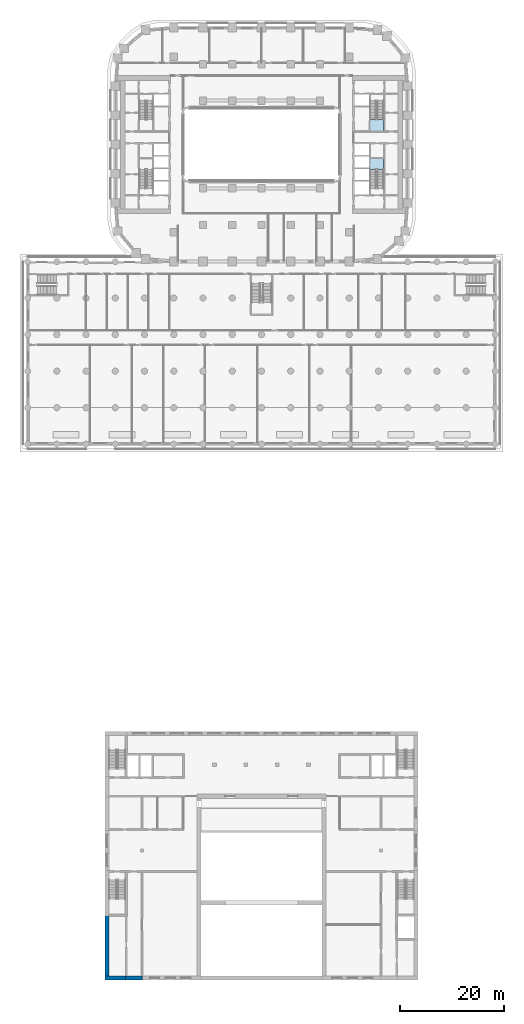
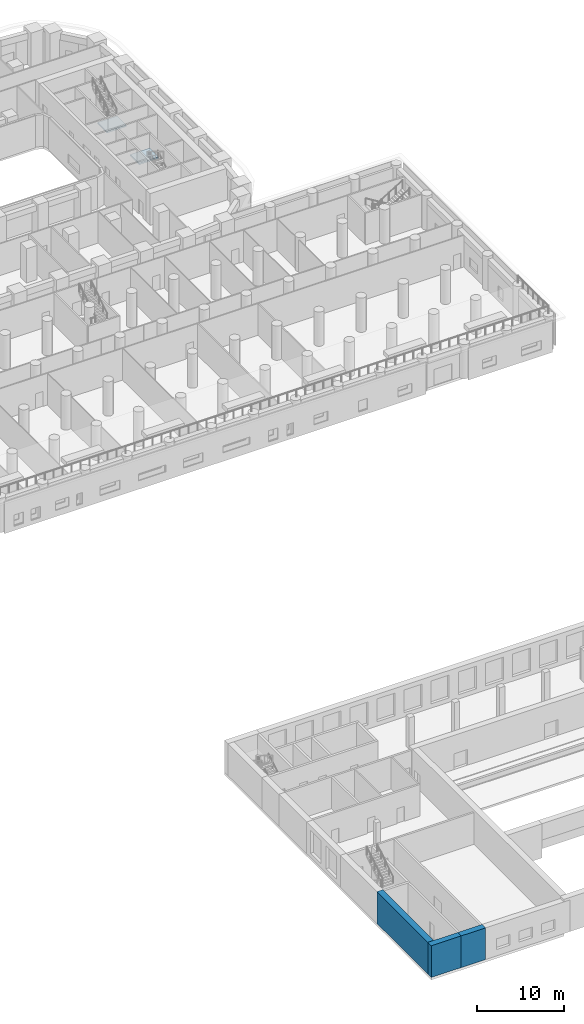
# One storey, part 3 of 27: 3 walls, 2 slabs, 2 elements without a shape of their own.
"""IFC4 building model written with IfcOpenShell, lengths in metres."""

from ifc_helpers import new_model, si_unit, direction, frame, frame_2d, origin, place, context, subcontext, project, spatial, polyline, rectangle, outline, extrude, material, layer, layer_set, type_object, element, aggregate, save


model = new_model("IFC4")

# Units and contexts
model_context = context("Model", 3, precision=1e-05, world=origin(), true_north=direction((0.0, 1.0)))
body_context = subcontext(model_context, "Body", "Model", "MODEL_VIEW")
ifc_project = project(units=[si_unit("LENGTHUNIT", "METRE"), si_unit("AREAUNIT", "SQUARE_METRE"), si_unit("VOLUMEUNIT", "CUBIC_METRE"), si_unit("PLANEANGLEUNIT", "RADIAN"), si_unit("MASSUNIT", "GRAM", prefix="KILO")], contexts=[model_context])

# Site, building, storey
site_placement = place(None, origin())
site = spatial("IfcSite", under=ifc_project, at=site_placement, CompositionType="ELEMENT")
building_placement = place(site_placement, origin())
building = spatial("IfcBuilding", under=site, at=building_placement, Name="Kiln Ring Residences", CompositionType="ELEMENT")
storey_placement = place(building_placement, frame((0.0, 0.0, 6.5)))
storey = spatial("IfcBuildingStorey", under=building, at=storey_placement, Name="L01", CompositionType="ELEMENT", Elevation=6.5)

# Stair, slab
ifc_material_1 = material(Name="Concrete C40/50", Category="concrete")
stair_type = type_object("IfcStairType", Name="CORE-STAIR", PredefinedType="HALF_TURN_STAIR", material=ifc_material_1)
placement_1 = place(storey_placement, origin())
stair_1 = element("IfcStair", 1, at=placement_1, inside=storey, type_object=stair_type, Name="L01 stair E-STN", PredefinedType="HALF_TURN_STAIR")
ifc_material_2 = material(Name="Concrete C40/50", Category="concrete")
ifc_layer_1 = layer(ifc_material_2, 0.199951171875)
ifc_layer_set_1 = layer_set([ifc_layer_1], Name="CORE-STAIR-LANDING")
slab_type = type_object("IfcSlabType", Name="CORE-STAIR-LANDING", PredefinedType="LANDING", material=ifc_layer_set_1)
placement_2 = place(storey_placement, frame((0.0, 0.0, 2.199951171875)))
slab_1 = element("IfcSlab", 2, at=placement_2, type_object=slab_type, Name="E-STN landing 1", PredefinedType="LANDING", context=body_context, shape_type="SweptSolid", body=[
    extrude(outline(polyline([(20.800048828125, 4.760009765625), (20.800048828125, 2.60009765625), (23.39990234375, 2.60009765625), (23.39990234375, 4.760009765625), (20.800048828125, 4.760009765625)])), origin(), (0.0, 0.0, 1.0), 0.199951171875),
])
aggregate(stair_1, [slab_1])

stair_2 = element("IfcStair", 3, at=placement_1, inside=storey, type_object=stair_type, Name="L01 stair E-STS", PredefinedType="HALF_TURN_STAIR")
slab_2 = element("IfcSlab", 4, at=placement_2, type_object=slab_type, Name="E-STS landing 1", PredefinedType="LANDING", context=body_context, shape_type="SweptSolid", body=[
    extrude(outline(polyline([(23.39990234375, -4.760009765625), (23.39990234375, -2.699951171875), (20.800048828125, -2.699951171875), (20.800048828125, -4.760009765625), (23.39990234375, -4.760009765625)])), origin(), (0.0, 0.0, 1.0), 0.199951171875),
])
aggregate(stair_2, [slab_2])

# Walls
ifc_material_3 = material(Name="Concrete C40/50", Category="concrete")
ifc_layer_2 = layer(ifc_material_3, 0.800048828125)
ifc_layer_set_2 = layer_set([ifc_layer_2], Name="Hall Exposed brick-faced reinforced concrete C40/50 wall 800")
wall_type = type_object("IfcWallType", Name="Hall Exposed brick-faced reinforced concrete C40/50 wall 800", PredefinedType="SOLIDWALL", material=ifc_layer_set_2)
wall_1_placement = place(storey_placement, frame((-30.0, -159.60009765625, 0.0), z_axis=(0.0, 0.0, 1.0), x_axis=(1.0, 0.0, 0.0)))
element("IfcWall", 5, at=wall_1_placement, inside=storey, type_object=wall_type, Name="Hall wall L01 1", PredefinedType="SOLIDWALL", context=body_context, shape_type="SweptSolid", body=[
    extrude(rectangle(XDim=4.224853515625, YDim=0.800048828125, at=frame_2d((2.1123046875, 0.0))), origin(), (0.0, 0.0, 1.0), 4.449951171875),
])
wall_2_placement = place(storey_placement, frame((-26.02490234375, -159.60009765625, 0.0), z_axis=(0.0, 0.0, 1.0), x_axis=(1.0, 0.0, 0.0)))
element("IfcWall", 6, at=wall_2_placement, inside=storey, type_object=wall_type, Name="Hall wall L01 2", PredefinedType="SOLIDWALL", context=body_context, shape_type="SweptSolid", body=[
    extrude(rectangle(XDim=3.249755859375, YDim=0.800048828125, at=frame_2d((1.625, 0.0))), origin(), (0.0, 0.0, 1.0), 4.449951171875),
])
wall_3_placement = place(storey_placement, frame((-29.60009765625, -159.199951171875, 0.0), z_axis=(0.0, 0.0, 1.0), x_axis=(0.0, 1.0, 0.0)))
element("IfcWall", 7, at=wall_3_placement, inside=storey, type_object=wall_type, Name="Hall wall L01 29", PredefinedType="SOLIDWALL", context=body_context, shape_type="SweptSolid", body=[
    extrude(rectangle(XDim=11.749755859375, YDim=0.800048828125, at=frame_2d((5.875, 0.0))), origin(), (0.0, 0.0, 1.0), 4.449951171875),
])

save(model, "model.ifc")
